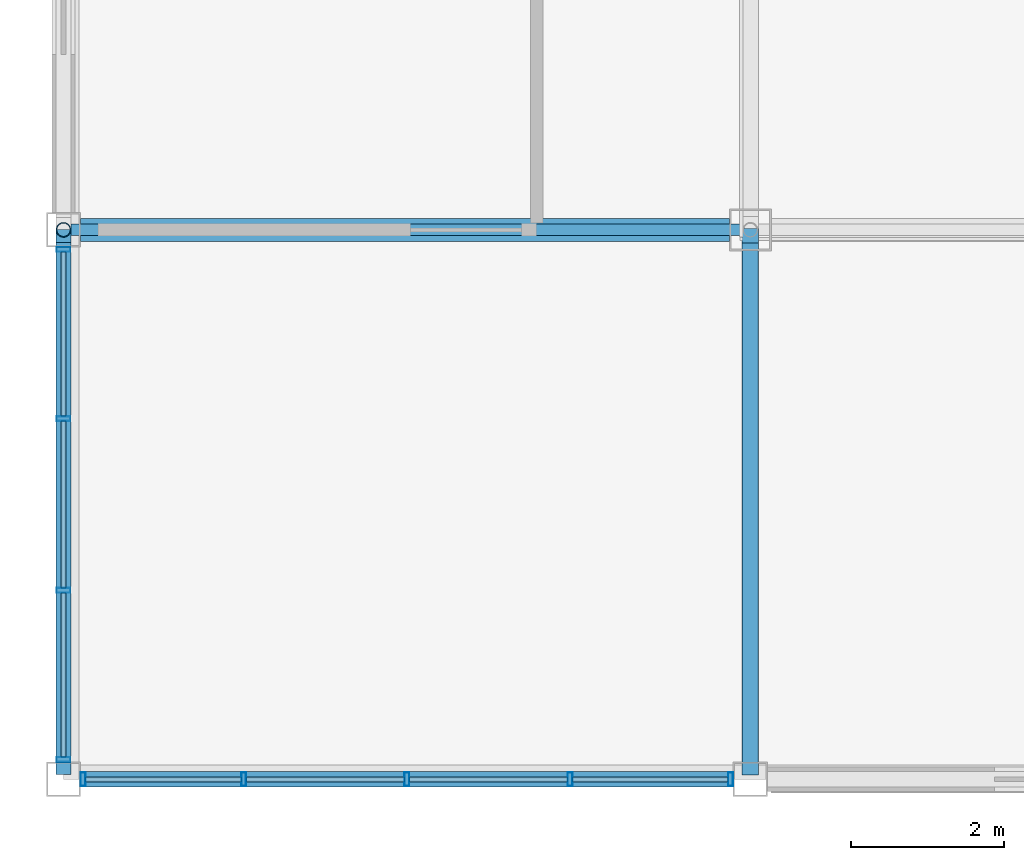
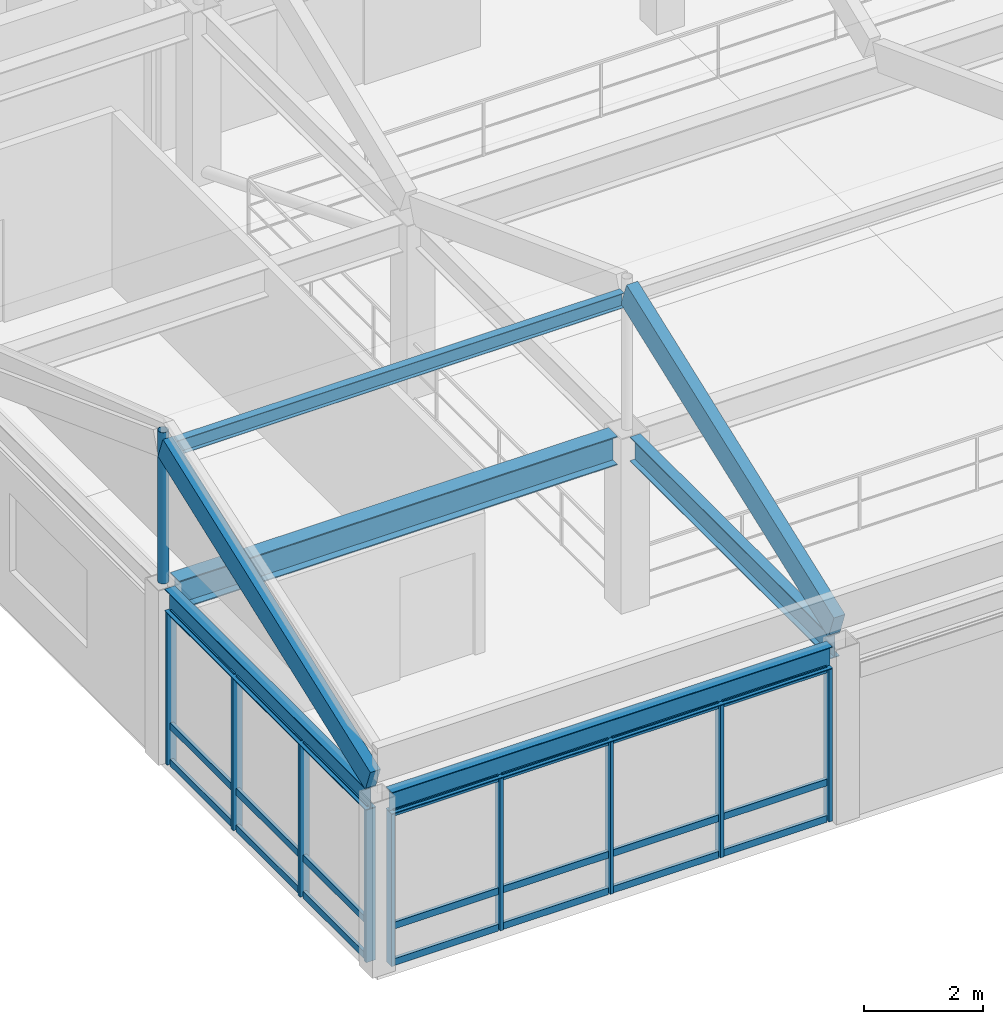
# One storey, part 11 of 113: 33 members, 5 beams, 2 elements without a shape of their own.
"""IFC4 building model written with IfcOpenShell, lengths in metres."""

from ifc_helpers import new_model, si_unit, direction, frame, origin, origin_2d, place, context, subcontext, project, spatial, rectangle, hollow_rectangle, hollow_circle, i_section, extrude, material, material_profile, profile_set, type_object, element, aggregate, save


model = new_model("IFC4")

# Units and contexts
model_context = context("Model", 3, precision=1e-05, world=origin(), true_north=direction((0.0, 1.0)))
body_context = subcontext(model_context, "Body", "Model", "MODEL_VIEW")
ifc_project = project(units=[si_unit("LENGTHUNIT", "METRE"), si_unit("AREAUNIT", "SQUARE_METRE"), si_unit("VOLUMEUNIT", "CUBIC_METRE"), si_unit("PLANEANGLEUNIT", "RADIAN"), si_unit("MASSUNIT", "GRAM", prefix="KILO")], contexts=[model_context])

# Site, building, storey
site_placement = place(None, origin())
site = spatial("IfcSite", under=ifc_project, at=site_placement, CompositionType="ELEMENT")
building_placement = place(site_placement, origin())
building = spatial("IfcBuilding", under=site, at=building_placement, Name="Kazanami Central Library", CompositionType="ELEMENT")
storey_placement = place(building_placement, frame((0.0, 0.0, 8.800048828125)))
storey = spatial("IfcBuildingStorey", under=building, at=storey_placement, Name="L03", CompositionType="ELEMENT", Elevation=8.800048828125)

# Beams
ifc_material_1 = material(Name="Steel SN490B (325 MPa)", Category="steel")
ifc_material_profile_1 = material_profile(ifc_material_1, i_section(OverallWidth=0.14990234375, OverallDepth=0.300048828125, WebThickness=0.006591796875, FlangeThickness=0.009033203125, at=origin_2d()), Name="H-300x150x6.5x9")
ifc_profile_set_1 = profile_set([ifc_material_profile_1], Name="Steel SN490B (325 MPa)")
beam_type_1 = type_object("IfcBeamType", Name="BM-CAN-300", PredefinedType="SPANDREL", material=ifc_profile_set_1)
beam_1_placement = place(storey_placement, frame((0.097900390625, 7.199951171875, 6.260009765625), z_axis=(1.0, 0.0, 0.0), x_axis=(0.0, 1.0, 0.0)))
element("IfcBeam", 1, at=beam_1_placement, inside=storey, type_object=beam_type_1, Name="Folded Shell Ridge Girder FOLD-L03-V3-S Bay 1", PredefinedType="BEAM", context=body_context, shape_type="SweptSolid", body=[
    extrude(i_section(OverallWidth=0.14990234375, OverallDepth=0.300048828125, WebThickness=0.006591796875, FlangeThickness=0.009033203125, at=origin_2d()), origin(), (0.0, 0.0, 1.0), 8.80419921875),
])
ifc_material_profile_2 = material_profile(ifc_material_1, i_section(OverallWidth=0.300048828125, OverallDepth=0.587890625, WebThickness=0.011962890625, FlangeThickness=0.02001953125, at=origin_2d()), Name="H-588x300x12x20")
ifc_profile_set_2 = profile_set([ifc_material_profile_2], Name="Steel SN490B (325 MPa)")
beam_type_2 = type_object("IfcBeamType", Name="BM-G-X2", PredefinedType="BEAM", material=ifc_profile_set_2)
beam_2_placement = place(storey_placement, frame((0.222900390625, 7.199951171875, 3.285888671875), z_axis=(1.0, 0.0, 0.0), x_axis=(0.0, 1.0, 0.0)))
element("IfcBeam", 2, at=beam_2_placement, inside=storey, type_object=beam_type_2, Name="Girder G-X2 L03 B/1-2", PredefinedType="BEAM", context=body_context, shape_type="SweptSolid", body=[
    extrude(i_section(OverallWidth=0.300048828125, OverallDepth=0.587890625, WebThickness=0.011962890625, FlangeThickness=0.02001953125, at=origin_2d()), origin(), (0.0, 0.0, 1.0), 8.504150390625),
])
ifc_material_profile_3 = material_profile(ifc_material_1, i_section(OverallWidth=0.199951171875, OverallDepth=0.5, WebThickness=0.010009765625, FlangeThickness=0.01611328125, at=origin_2d()), Name="H-500x200x10x16")
ifc_profile_set_3 = profile_set([ifc_material_profile_3], Name="Steel SN490B (325 MPa)")
beam_type_3 = type_object("IfcBeamType", Name="BM-G-Y2", PredefinedType="BEAM", material=ifc_profile_set_3)
beam_3_placement = place(storey_placement, frame((9.0, 0.222900390625, 3.329833984375), z_axis=(0.0, 1.0, 0.0), x_axis=(-1.0, 0.0, 0.0)))
element("IfcBeam", 3, at=beam_3_placement, inside=storey, type_object=beam_type_3, Name="Girder G-Y2 L03 2/A-B", PredefinedType="BEAM", context=body_context, shape_type="SweptSolid", body=[
    extrude(i_section(OverallWidth=0.199951171875, OverallDepth=0.5, WebThickness=0.010009765625, FlangeThickness=0.01611328125, at=origin_2d()), origin(), (0.0, 0.0, 1.0), 6.7041015625),
])
ifc_material_profile_4 = material_profile(ifc_material_1, i_section(OverallWidth=0.199951171875, OverallDepth=0.449951171875, WebThickness=0.009033203125, FlangeThickness=0.013916015625, at=origin_2d()), Name="H-450x200x9x14")
ifc_profile_set_4 = profile_set([ifc_material_profile_4], Name="Steel SN490B (325 MPa)")
beam_type_4 = type_object("IfcBeamType", Name="BM-SP-2", PredefinedType="SPANDREL", material=ifc_profile_set_4)
beam_4_placement = place(storey_placement, frame((0.222900390625, 0.0, 3.35498046875), z_axis=(1.0, 0.0, 0.0), x_axis=(0.0, 1.0, 0.0)))
element("IfcBeam", 4, at=beam_4_placement, inside=storey, type_object=beam_type_4, Name="Girder SP-2 L03 A/1-2", PredefinedType="SPANDREL", context=body_context, shape_type="SweptSolid", body=[
    extrude(i_section(OverallWidth=0.199951171875, OverallDepth=0.449951171875, WebThickness=0.009033203125, FlangeThickness=0.013916015625, at=origin_2d()), origin(), (0.0, 0.0, 1.0), 8.55419921875),
])
beam_5_placement = place(storey_placement, frame((0.0, 0.222900390625, 3.35498046875), z_axis=(0.0, 1.0, 0.0), x_axis=(-1.0, 0.0, 0.0)))
element("IfcBeam", 5, at=beam_5_placement, inside=storey, type_object=beam_type_4, Name="Girder SP-2 L03 1/A-B", PredefinedType="SPANDREL", context=body_context, shape_type="SweptSolid", body=[
    extrude(i_section(OverallWidth=0.199951171875, OverallDepth=0.449951171875, WebThickness=0.009033203125, FlangeThickness=0.013916015625, at=origin_2d()), origin(), (0.0, 0.0, 1.0), 6.754150390625),
])

# Curtain wall, members
ifc_material_2 = material(Name="Acid-Etched Low-E Laminated Glass", Category="glass")
curtain_wall_type_1 = type_object("IfcCurtainWallType", Name="CW-8550x3130-M225", PredefinedType="USERDEFINED", material=ifc_material_2)
curtain_wall_1_placement = place(storey_placement, origin())
curtain_wall_1 = element("IfcCurtainWall", 6, at=curtain_wall_1_placement, inside=storey, type_object=curtain_wall_type_1, Name="Unitised Curtain Wall CW-24 L03 S-A-00", ObjectType="UNITISED CURTAIN WALL", PredefinedType="USERDEFINED")
ifc_material_3 = material(Name="Anodised Aluminium A6063-T5", Category="aluminium")
ifc_material_profile_5 = material_profile(ifc_material_3, hollow_rectangle(XDim=0.06494140625, YDim=0.179931640625, WallThickness=0.00390625, at=origin_2d()), Name="ALU-MULL-65x180x4")
ifc_profile_set_5 = profile_set([ifc_material_profile_5], Name="Anodised Aluminium A6063-T5")
member_type_1 = type_object("IfcMemberType", Name="MEM-CW-M2", PredefinedType="MULLION", material=ifc_profile_set_5)
member_1_placement = place(storey_placement, frame((0.257568359375, 0.0, 0.0), z_axis=(0.0, 0.0, 1.0), x_axis=(1.0, 0.0, 0.0)))
member_1 = element("IfcMember", 7, at=member_1_placement, type_object=member_type_1, Name="CW-24 mullion 1", PredefinedType="MULLION", context=body_context, shape_type="SweptSolid", body=[
    extrude(hollow_rectangle(XDim=0.06494140625, YDim=0.179931640625, WallThickness=0.00390625, at=origin_2d()), origin(), (0.0, 0.0, 1.0), 3.1298828125),
])
member_2_placement = place(storey_placement, frame((2.362548828125, 0.0, 0.0), z_axis=(0.0, 0.0, 1.0), x_axis=(1.0, 0.0, 0.0)))
member_2 = element("IfcMember", 8, at=member_2_placement, type_object=member_type_1, Name="CW-24 mullion 2", PredefinedType="MULLION", context=body_context, shape_type="SweptSolid", body=[
    extrude(hollow_rectangle(XDim=0.06494140625, YDim=0.179931640625, WallThickness=0.00390625, at=origin_2d()), origin(), (0.0, 0.0, 1.0), 3.1298828125),
])
member_3_placement = place(storey_placement, frame((4.5, 0.0, 0.0), z_axis=(0.0, 0.0, 1.0), x_axis=(1.0, 0.0, 0.0)))
member_3 = element("IfcMember", 9, at=member_3_placement, type_object=member_type_1, Name="CW-24 mullion 3", PredefinedType="MULLION", context=body_context, shape_type="SweptSolid", body=[
    extrude(hollow_rectangle(XDim=0.06494140625, YDim=0.179931640625, WallThickness=0.00390625, at=origin_2d()), origin(), (0.0, 0.0, 1.0), 3.1298828125),
])
member_4_placement = place(storey_placement, frame((6.637451171875, 0.0, 0.0), z_axis=(0.0, 0.0, 1.0), x_axis=(1.0, 0.0, 0.0)))
member_4 = element("IfcMember", 10, at=member_4_placement, type_object=member_type_1, Name="CW-24 mullion 4", PredefinedType="MULLION", context=body_context, shape_type="SweptSolid", body=[
    extrude(hollow_rectangle(XDim=0.06494140625, YDim=0.179931640625, WallThickness=0.00390625, at=origin_2d()), origin(), (0.0, 0.0, 1.0), 3.1298828125),
])
member_5_placement = place(storey_placement, frame((8.742431640625, 0.0, 0.0), z_axis=(0.0, 0.0, 1.0), x_axis=(1.0, 0.0, 0.0)))
member_5 = element("IfcMember", 11, at=member_5_placement, type_object=member_type_1, Name="CW-24 mullion 5", PredefinedType="MULLION", context=body_context, shape_type="SweptSolid", body=[
    extrude(hollow_rectangle(XDim=0.06494140625, YDim=0.179931640625, WallThickness=0.00390625, at=origin_2d()), origin(), (0.0, 0.0, 1.0), 3.1298828125),
])

curtain_wall_type_2 = type_object("IfcCurtainWallType", Name="CW-6750x3130-M225", PredefinedType="USERDEFINED", material=ifc_material_2)
curtain_wall_2_placement = place(storey_placement, origin())
curtain_wall_2 = element("IfcCurtainWall", 12, at=curtain_wall_2_placement, inside=storey, type_object=curtain_wall_type_2, Name="Unitised Curtain Wall CW-31 L03 W-1-00", ObjectType="UNITISED CURTAIN WALL", PredefinedType="USERDEFINED")
member_6_placement = place(storey_placement, frame((0.0, 0.257568359375, 0.0), z_axis=(0.0, 0.0, 1.0), x_axis=(0.0, 1.0, 0.0)))
member_6 = element("IfcMember", 13, at=member_6_placement, type_object=member_type_1, Name="CW-31 mullion 1", PredefinedType="MULLION", context=body_context, shape_type="SweptSolid", body=[
    extrude(hollow_rectangle(XDim=0.06494140625, YDim=0.179931640625, WallThickness=0.00390625, at=origin_2d()), origin(), (0.0, 0.0, 1.0), 3.1298828125),
])
member_7_placement = place(storey_placement, frame((0.0, 2.47509765625, 0.0), z_axis=(0.0, 0.0, 1.0), x_axis=(0.0, 1.0, 0.0)))
member_7 = element("IfcMember", 14, at=member_7_placement, type_object=member_type_1, Name="CW-31 mullion 2", PredefinedType="MULLION", context=body_context, shape_type="SweptSolid", body=[
    extrude(hollow_rectangle(XDim=0.06494140625, YDim=0.179931640625, WallThickness=0.00390625, at=origin_2d()), origin(), (0.0, 0.0, 1.0), 3.1298828125),
])
member_8_placement = place(storey_placement, frame((0.0, 4.72509765625, 0.0), z_axis=(0.0, 0.0, 1.0), x_axis=(0.0, 1.0, 0.0)))
member_8 = element("IfcMember", 15, at=member_8_placement, type_object=member_type_1, Name="CW-31 mullion 3", PredefinedType="MULLION", context=body_context, shape_type="SweptSolid", body=[
    extrude(hollow_rectangle(XDim=0.06494140625, YDim=0.179931640625, WallThickness=0.00390625, at=origin_2d()), origin(), (0.0, 0.0, 1.0), 3.1298828125),
])
member_9_placement = place(storey_placement, frame((0.0, 6.9423828125, 0.0), z_axis=(0.0, 0.0, 1.0), x_axis=(0.0, 1.0, 0.0)))
member_9 = element("IfcMember", 16, at=member_9_placement, type_object=member_type_1, Name="CW-31 mullion 4", PredefinedType="MULLION", context=body_context, shape_type="SweptSolid", body=[
    extrude(hollow_rectangle(XDim=0.06494140625, YDim=0.179931640625, WallThickness=0.00390625, at=origin_2d()), origin(), (0.0, 0.0, 1.0), 3.1298828125),
])

# Member
ifc_material_profile_6 = material_profile(ifc_material_3, hollow_rectangle(XDim=0.06494140625, YDim=0.139892578125, WallThickness=0.00390625, at=origin_2d()), Name="ALU-TRAN-65x140x4")
ifc_profile_set_6 = profile_set([ifc_material_profile_6], Name="Anodised Aluminium A6063-T5")
member_type_2 = type_object("IfcMemberType", Name="MEM-CW-T2", PredefinedType="USERDEFINED", material=ifc_profile_set_6)
member_10_placement = place(storey_placement, frame((0.2900390625, 0.0, 0.032470703125), z_axis=(1.0, 0.0, 0.0), x_axis=(0.0, 1.0, 0.0)))
member_10 = element("IfcMember", 17, at=member_10_placement, type_object=member_type_2, Name="CW-24 transom 1.1", ObjectType="TRANSOM", PredefinedType="USERDEFINED", context=body_context, shape_type="SweptSolid", body=[
    extrude(hollow_rectangle(XDim=0.06494140625, YDim=0.139892578125, WallThickness=0.00390625, at=origin_2d()), origin(), (0.0, 0.0, 1.0), 2.0400390625),
])

member_11_placement = place(storey_placement, frame((0.2900390625, 0.0, 0.780029296875), z_axis=(1.0, 0.0, 0.0), x_axis=(0.0, 1.0, 0.0)))
member_11 = element("IfcMember", 18, at=member_11_placement, type_object=member_type_2, Name="CW-24 transom 1.2", ObjectType="TRANSOM", PredefinedType="USERDEFINED", context=body_context, shape_type="SweptSolid", body=[
    extrude(hollow_rectangle(XDim=0.06494140625, YDim=0.139892578125, WallThickness=0.00390625, at=origin_2d()), origin(), (0.0, 0.0, 1.0), 2.0400390625),
])

member_12_placement = place(storey_placement, frame((0.2900390625, 0.0, 3.097412109375), z_axis=(1.0, 0.0, 0.0), x_axis=(0.0, 1.0, 0.0)))
member_12 = element("IfcMember", 19, at=member_12_placement, type_object=member_type_2, Name="CW-24 transom 1.3", ObjectType="TRANSOM", PredefinedType="USERDEFINED", context=body_context, shape_type="SweptSolid", body=[
    extrude(hollow_rectangle(XDim=0.06494140625, YDim=0.139892578125, WallThickness=0.00390625, at=origin_2d()), origin(), (0.0, 0.0, 1.0), 2.0400390625),
])

member_13_placement = place(storey_placement, frame((2.39501953125, 0.0, 0.032470703125), z_axis=(1.0, 0.0, 0.0), x_axis=(0.0, 1.0, 0.0)))
member_13 = element("IfcMember", 20, at=member_13_placement, type_object=member_type_2, Name="CW-24 transom 2.1", ObjectType="TRANSOM", PredefinedType="USERDEFINED", context=body_context, shape_type="SweptSolid", body=[
    extrude(hollow_rectangle(XDim=0.06494140625, YDim=0.139892578125, WallThickness=0.00390625, at=origin_2d()), origin(), (0.0, 0.0, 1.0), 2.072509765625),
])

member_14_placement = place(storey_placement, frame((2.39501953125, 0.0, 0.780029296875), z_axis=(1.0, 0.0, 0.0), x_axis=(0.0, 1.0, 0.0)))
member_14 = element("IfcMember", 21, at=member_14_placement, type_object=member_type_2, Name="CW-24 transom 2.2", ObjectType="TRANSOM", PredefinedType="USERDEFINED", context=body_context, shape_type="SweptSolid", body=[
    extrude(hollow_rectangle(XDim=0.06494140625, YDim=0.139892578125, WallThickness=0.00390625, at=origin_2d()), origin(), (0.0, 0.0, 1.0), 2.072509765625),
])

member_15_placement = place(storey_placement, frame((2.39501953125, 0.0, 3.097412109375), z_axis=(1.0, 0.0, 0.0), x_axis=(0.0, 1.0, 0.0)))
member_15 = element("IfcMember", 22, at=member_15_placement, type_object=member_type_2, Name="CW-24 transom 2.3", ObjectType="TRANSOM", PredefinedType="USERDEFINED", context=body_context, shape_type="SweptSolid", body=[
    extrude(hollow_rectangle(XDim=0.06494140625, YDim=0.139892578125, WallThickness=0.00390625, at=origin_2d()), origin(), (0.0, 0.0, 1.0), 2.072509765625),
])

member_16_placement = place(storey_placement, frame((4.532470703125, 0.0, 0.032470703125), z_axis=(1.0, 0.0, 0.0), x_axis=(0.0, 1.0, 0.0)))
member_16 = element("IfcMember", 23, at=member_16_placement, type_object=member_type_2, Name="CW-24 transom 3.1", ObjectType="TRANSOM", PredefinedType="USERDEFINED", context=body_context, shape_type="SweptSolid", body=[
    extrude(hollow_rectangle(XDim=0.06494140625, YDim=0.139892578125, WallThickness=0.00390625, at=origin_2d()), origin(), (0.0, 0.0, 1.0), 2.072509765625),
])

member_17_placement = place(storey_placement, frame((4.532470703125, 0.0, 0.780029296875), z_axis=(1.0, 0.0, 0.0), x_axis=(0.0, 1.0, 0.0)))
member_17 = element("IfcMember", 24, at=member_17_placement, type_object=member_type_2, Name="CW-24 transom 3.2", ObjectType="TRANSOM", PredefinedType="USERDEFINED", context=body_context, shape_type="SweptSolid", body=[
    extrude(hollow_rectangle(XDim=0.06494140625, YDim=0.139892578125, WallThickness=0.00390625, at=origin_2d()), origin(), (0.0, 0.0, 1.0), 2.072509765625),
])

member_18_placement = place(storey_placement, frame((4.532470703125, 0.0, 3.097412109375), z_axis=(1.0, 0.0, 0.0), x_axis=(0.0, 1.0, 0.0)))
member_18 = element("IfcMember", 25, at=member_18_placement, type_object=member_type_2, Name="CW-24 transom 3.3", ObjectType="TRANSOM", PredefinedType="USERDEFINED", context=body_context, shape_type="SweptSolid", body=[
    extrude(hollow_rectangle(XDim=0.06494140625, YDim=0.139892578125, WallThickness=0.00390625, at=origin_2d()), origin(), (0.0, 0.0, 1.0), 2.072509765625),
])

member_19_placement = place(storey_placement, frame((6.669921875, 0.0, 0.032470703125), z_axis=(1.0, 0.0, 0.0), x_axis=(0.0, 1.0, 0.0)))
member_19 = element("IfcMember", 26, at=member_19_placement, type_object=member_type_2, Name="CW-24 transom 4.1", ObjectType="TRANSOM", PredefinedType="USERDEFINED", context=body_context, shape_type="SweptSolid", body=[
    extrude(hollow_rectangle(XDim=0.06494140625, YDim=0.139892578125, WallThickness=0.00390625, at=origin_2d()), origin(), (0.0, 0.0, 1.0), 2.0400390625),
])

member_20_placement = place(storey_placement, frame((6.669921875, 0.0, 0.780029296875), z_axis=(1.0, 0.0, 0.0), x_axis=(0.0, 1.0, 0.0)))
member_20 = element("IfcMember", 27, at=member_20_placement, type_object=member_type_2, Name="CW-24 transom 4.2", ObjectType="TRANSOM", PredefinedType="USERDEFINED", context=body_context, shape_type="SweptSolid", body=[
    extrude(hollow_rectangle(XDim=0.06494140625, YDim=0.139892578125, WallThickness=0.00390625, at=origin_2d()), origin(), (0.0, 0.0, 1.0), 2.0400390625),
])

member_21_placement = place(storey_placement, frame((6.669921875, 0.0, 3.097412109375), z_axis=(1.0, 0.0, 0.0), x_axis=(0.0, 1.0, 0.0)))
member_21 = element("IfcMember", 28, at=member_21_placement, type_object=member_type_2, Name="CW-24 transom 4.3", ObjectType="TRANSOM", PredefinedType="USERDEFINED", context=body_context, shape_type="SweptSolid", body=[
    extrude(hollow_rectangle(XDim=0.06494140625, YDim=0.139892578125, WallThickness=0.00390625, at=origin_2d()), origin(), (0.0, 0.0, 1.0), 2.0400390625),
])

aggregate(curtain_wall_1, [member_1, member_2, member_3, member_4, member_5, member_10, member_11, member_12, member_13, member_14, member_15, member_16, member_17, member_18, member_19, member_20, member_21])

member_22_placement = place(storey_placement, frame((0.0, 0.2900390625, 0.032470703125), z_axis=(0.0, 1.0, 0.0), x_axis=(-1.0, 0.0, 0.0)))
member_22 = element("IfcMember", 29, at=member_22_placement, type_object=member_type_2, Name="CW-31 transom 1.1", ObjectType="TRANSOM", PredefinedType="USERDEFINED", context=body_context, shape_type="SweptSolid", body=[
    extrude(hollow_rectangle(XDim=0.06494140625, YDim=0.139892578125, WallThickness=0.00390625, at=origin_2d()), origin(), (0.0, 0.0, 1.0), 2.15234375),
])

member_23_placement = place(storey_placement, frame((0.0, 0.2900390625, 0.780029296875), z_axis=(0.0, 1.0, 0.0), x_axis=(-1.0, 0.0, 0.0)))
member_23 = element("IfcMember", 30, at=member_23_placement, type_object=member_type_2, Name="CW-31 transom 1.2", ObjectType="TRANSOM", PredefinedType="USERDEFINED", context=body_context, shape_type="SweptSolid", body=[
    extrude(hollow_rectangle(XDim=0.06494140625, YDim=0.139892578125, WallThickness=0.00390625, at=origin_2d()), origin(), (0.0, 0.0, 1.0), 2.15234375),
])

member_24_placement = place(storey_placement, frame((0.0, 0.2900390625, 3.097412109375), z_axis=(0.0, 1.0, 0.0), x_axis=(-1.0, 0.0, 0.0)))
member_24 = element("IfcMember", 31, at=member_24_placement, type_object=member_type_2, Name="CW-31 transom 1.3", ObjectType="TRANSOM", PredefinedType="USERDEFINED", context=body_context, shape_type="SweptSolid", body=[
    extrude(hollow_rectangle(XDim=0.06494140625, YDim=0.139892578125, WallThickness=0.00390625, at=origin_2d()), origin(), (0.0, 0.0, 1.0), 2.15234375),
])

member_25_placement = place(storey_placement, frame((0.0, 2.507568359375, 0.032470703125), z_axis=(0.0, 1.0, 0.0), x_axis=(-1.0, 0.0, 0.0)))
member_25 = element("IfcMember", 32, at=member_25_placement, type_object=member_type_2, Name="CW-31 transom 2.1", ObjectType="TRANSOM", PredefinedType="USERDEFINED", context=body_context, shape_type="SweptSolid", body=[
    extrude(hollow_rectangle(XDim=0.06494140625, YDim=0.139892578125, WallThickness=0.00390625, at=origin_2d()), origin(), (0.0, 0.0, 1.0), 2.184814453125),
])

member_26_placement = place(storey_placement, frame((0.0, 2.507568359375, 0.780029296875), z_axis=(0.0, 1.0, 0.0), x_axis=(-1.0, 0.0, 0.0)))
member_26 = element("IfcMember", 33, at=member_26_placement, type_object=member_type_2, Name="CW-31 transom 2.2", ObjectType="TRANSOM", PredefinedType="USERDEFINED", context=body_context, shape_type="SweptSolid", body=[
    extrude(hollow_rectangle(XDim=0.06494140625, YDim=0.139892578125, WallThickness=0.00390625, at=origin_2d()), origin(), (0.0, 0.0, 1.0), 2.184814453125),
])

member_27_placement = place(storey_placement, frame((0.0, 2.507568359375, 3.097412109375), z_axis=(0.0, 1.0, 0.0), x_axis=(-1.0, 0.0, 0.0)))
member_27 = element("IfcMember", 34, at=member_27_placement, type_object=member_type_2, Name="CW-31 transom 2.3", ObjectType="TRANSOM", PredefinedType="USERDEFINED", context=body_context, shape_type="SweptSolid", body=[
    extrude(hollow_rectangle(XDim=0.06494140625, YDim=0.139892578125, WallThickness=0.00390625, at=origin_2d()), origin(), (0.0, 0.0, 1.0), 2.184814453125),
])

member_28_placement = place(storey_placement, frame((0.0, 4.757568359375, 0.032470703125), z_axis=(0.0, 1.0, 0.0), x_axis=(-1.0, 0.0, 0.0)))
member_28 = element("IfcMember", 35, at=member_28_placement, type_object=member_type_2, Name="CW-31 transom 3.1", ObjectType="TRANSOM", PredefinedType="USERDEFINED", context=body_context, shape_type="SweptSolid", body=[
    extrude(hollow_rectangle(XDim=0.06494140625, YDim=0.139892578125, WallThickness=0.00390625, at=origin_2d()), origin(), (0.0, 0.0, 1.0), 2.15234375),
])

member_29_placement = place(storey_placement, frame((0.0, 4.757568359375, 0.780029296875), z_axis=(0.0, 1.0, 0.0), x_axis=(-1.0, 0.0, 0.0)))
member_29 = element("IfcMember", 36, at=member_29_placement, type_object=member_type_2, Name="CW-31 transom 3.2", ObjectType="TRANSOM", PredefinedType="USERDEFINED", context=body_context, shape_type="SweptSolid", body=[
    extrude(hollow_rectangle(XDim=0.06494140625, YDim=0.139892578125, WallThickness=0.00390625, at=origin_2d()), origin(), (0.0, 0.0, 1.0), 2.15234375),
])

member_30_placement = place(storey_placement, frame((0.0, 4.757568359375, 3.097412109375), z_axis=(0.0, 1.0, 0.0), x_axis=(-1.0, 0.0, 0.0)))
member_30 = element("IfcMember", 37, at=member_30_placement, type_object=member_type_2, Name="CW-31 transom 3.3", ObjectType="TRANSOM", PredefinedType="USERDEFINED", context=body_context, shape_type="SweptSolid", body=[
    extrude(hollow_rectangle(XDim=0.06494140625, YDim=0.139892578125, WallThickness=0.00390625, at=origin_2d()), origin(), (0.0, 0.0, 1.0), 2.15234375),
])

aggregate(curtain_wall_2, [member_6, member_7, member_8, member_9, member_22, member_23, member_24, member_25, member_26, member_27, member_28, member_29, member_30])

# Members
ifc_material_4 = material(Name="Glulam GL28h (28 MPa)", Category="wood")
ifc_material_profile_7 = material_profile(ifc_material_4, rectangle(XDim=0.219970703125, YDim=0.5400390625, at=origin_2d()), Name="GL28h-220x540")
ifc_profile_set_7 = profile_set([ifc_material_profile_7], Name="Glulam GL28h (28 MPa)")
member_type_3 = type_object("IfcMemberType", Name="MEM-GL-01", PredefinedType="RAFTER", material=ifc_profile_set_7)
member_31_placement = place(storey_placement, frame((9.0, 0.14990234375, 3.780029296875), z_axis=(0.0, 0.93650430586, 0.350656078096), x_axis=(-1.0, 0.0, 0.0)))
element("IfcMember", 38, at=member_31_placement, inside=storey, type_object=member_type_3, Name="Glulam Timber Shell Rafter GL-01 FOLD-L03-V3-S Grid 2 South", PredefinedType="RAFTER", context=body_context, shape_type="SweptSolid", body=[
    extrude(rectangle(XDim=0.219970703125, YDim=0.5400390625, at=origin_2d()), origin(), (0.0, 0.0, 1.0), 7.44287109375),
])
ifc_material_profile_8 = material_profile(ifc_material_4, rectangle(XDim=0.199951171875, YDim=0.47998046875, at=origin_2d()), Name="GL28h-200x480")
ifc_profile_set_8 = profile_set([ifc_material_profile_8], Name="Glulam GL28h (28 MPa)")
member_type_4 = type_object("IfcMemberType", Name="MEM-GL-02", PredefinedType="RAFTER", material=ifc_profile_set_8)
member_32_placement = place(storey_placement, frame((0.0, 0.14990234375, 3.780029296875), z_axis=(0.0, 0.93650430586, 0.350656078096), x_axis=(-1.0, 0.0, 0.0)))
element("IfcMember", 39, at=member_32_placement, inside=storey, type_object=member_type_4, Name="Glulam Timber Shell Rafter GL-02 FOLD-L03-V3-S Grid 1 South", PredefinedType="RAFTER", context=body_context, shape_type="SweptSolid", body=[
    extrude(rectangle(XDim=0.199951171875, YDim=0.47998046875, at=origin_2d()), origin(), (0.0, 0.0, 1.0), 7.44287109375),
])
ifc_material_5 = material(Name="Steel STK490 (315 MPa)", Category="steel")
ifc_material_profile_9 = material_profile(ifc_material_5, hollow_circle(Radius=0.095458984375, WallThickness=0.007080078125, at=origin_2d()), Name="CHS-190.7x7.0")
ifc_profile_set_9 = profile_set([ifc_material_profile_9], Name="Steel STK490 (315 MPa)")
member_type_5 = type_object("IfcMemberType", Name="MEM-VST-190", PredefinedType="STRUT", material=ifc_profile_set_9)
member_33_placement = place(storey_placement, frame((0.0, 7.199951171875, 3.579833984375), z_axis=(0.0, 0.0, 1.0), x_axis=(1.0, 0.0, 0.0)))
element("IfcMember", 40, at=member_33_placement, inside=storey, type_object=member_type_5, Name="Folded Shell Ridge Strut Post FOLD-L03-V3-S Grid 1", PredefinedType="POST", context=body_context, shape_type="SweptSolid", body=[
    extrude(hollow_circle(Radius=0.095458984375, WallThickness=0.007080078125, at=origin_2d()), origin(), (0.0, 0.0, 1.0), 3.1025390625),
])

save(model, "model.ifc")
